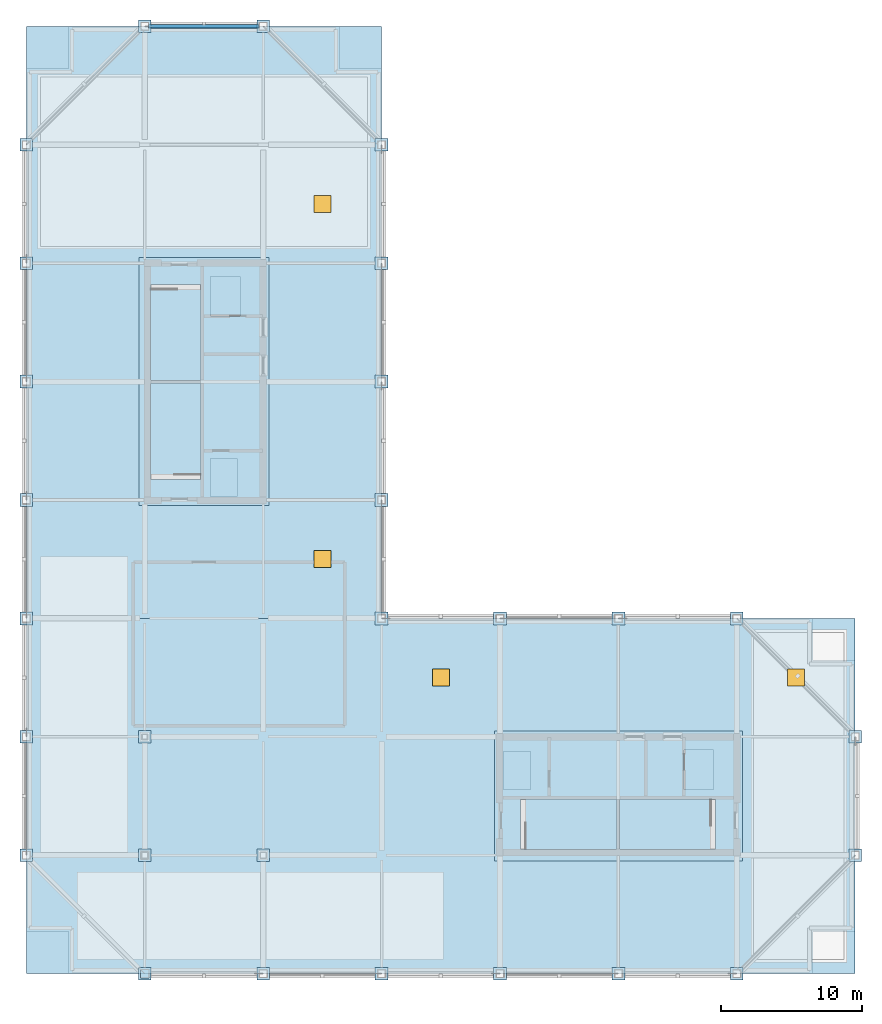
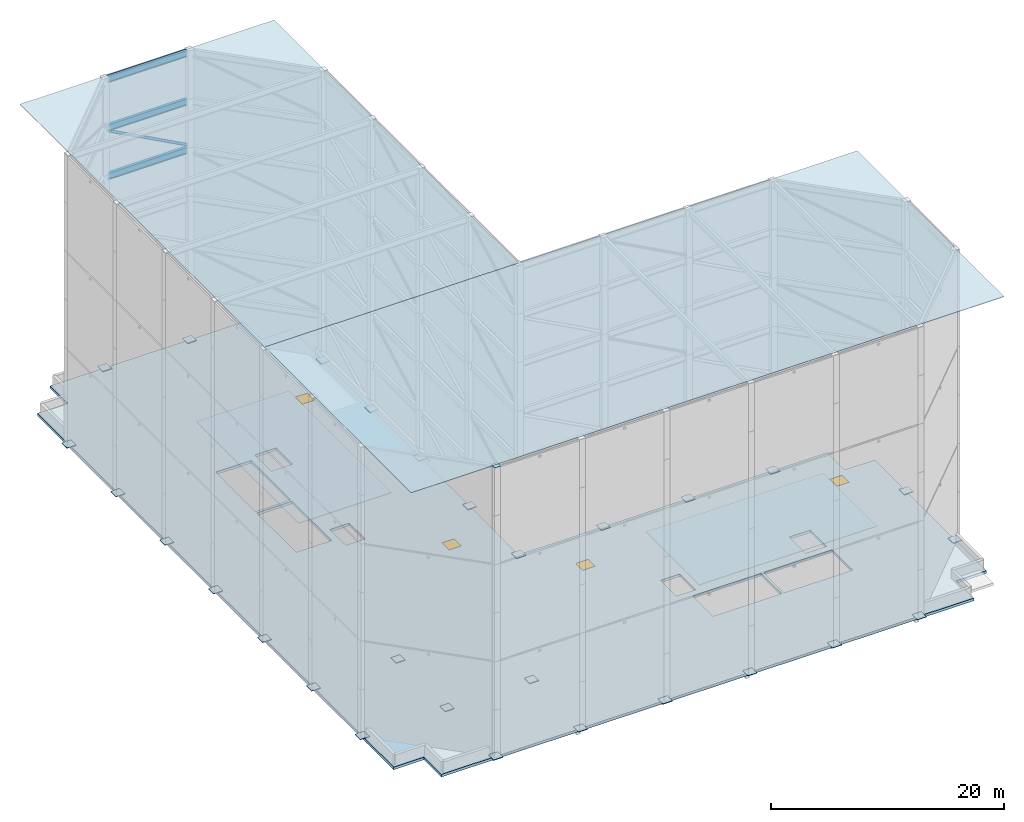
# One storey, part 7 of 17: 33 plates, 4 doors, 3 beams, 1 member, 1 slab, 4 openings.
"""IFC4 building model written with IfcOpenShell, lengths in metres."""

from ifc_helpers import new_model, si_unit, direction, frame, origin, origin_2d, place, context, subcontext, project, spatial, polyline, rectangle, hollow_circle, i_section, outline, extrude, material, layer, layer_set, material_profile, profile_set, type_object, element, fill, save


model = new_model("IFC4")

# Units and contexts
model_context = context("Model", 3, precision=1e-05, world=origin(), true_north=direction((0.0, 1.0)))
body_context = subcontext(model_context, "Body", "Model", "MODEL_VIEW")
ifc_project = project(units=[si_unit("LENGTHUNIT", "METRE"), si_unit("AREAUNIT", "SQUARE_METRE"), si_unit("VOLUMEUNIT", "CUBIC_METRE"), si_unit("PLANEANGLEUNIT", "RADIAN"), si_unit("MASSUNIT", "GRAM", prefix="KILO")], contexts=[model_context])

# Site, building, storey
site_placement = place(None, origin())
site = spatial("IfcSite", under=ifc_project, at=site_placement, CompositionType="ELEMENT")
building_placement = place(site_placement, origin())
building = spatial("IfcBuilding", under=site, at=building_placement, Name="Koriwani Terraces Tower", CompositionType="ELEMENT")
storey_placement = place(building_placement, frame((0.0, 0.0, 374.0)))
storey = spatial("IfcBuildingStorey", under=building, at=storey_placement, Name="RF", CompositionType="ELEMENT", Elevation=374.0)

# Beams
ifc_material_1 = material(Name="Steel ASTM A572 Grade 50", Category="steel")
ifc_material_profile_1 = material_profile(ifc_material_1, i_section(OverallWidth=0.256103515625, OverallDepth=0.693115234375, WebThickness=0.014404296875, FlangeThickness=0.023681640625, at=origin_2d()), Name="Steel ASTM A572 Grade 50", Category="LoadBearing")
ifc_profile_set_1 = profile_set([ifc_material_profile_1], Name="Steel ASTM A572 Grade 50")
beam_type = type_object("IfcBeamType", Name="CROWN_FRAME_BEAM_W690X170", PredefinedType="USERDEFINED", material=ifc_profile_set_1)
for number, where, z_axis, x_axis, name in (
    (1, (24.919921875, 75.60009765625, 20.013427734375), (-1.0, 0.0, 0.0), (0.0, -1.0, 0.0), "CROWN FRAME Tier 4 Ring Beam S17"),
    (2, (24.919921875, 75.60009765625, 25.103515625), (-1.0, 0.0, 0.0), (0.0, -1.0, 0.0), "CROWN FRAME Tier 5 Ring Beam S17"),
    (3, (24.919921875, 75.60009765625, 30.193603515625), (-1.0, 0.0, 0.0), (0.0, -1.0, 0.0), "CROWN FRAME Tier 6 Ring Beam S17"),
):
    element("IfcBeam", number, at=place(storey_placement, frame(where, z_axis=z_axis, x_axis=x_axis)), inside=storey, type_object=beam_type, Name=name, ObjectType="CROWN FRAME", PredefinedType="USERDEFINED", context=body_context, shape_type="SweptSolid", body=[
        extrude(i_section(OverallWidth=0.256103515625, OverallDepth=0.693115234375, WebThickness=0.014404296875, FlangeThickness=0.023681640625, at=origin_2d()), origin(), (0.0, 0.0, 1.0), 7.83984375),
    ])

# Member
ifc_material_profile_2 = material_profile(ifc_material_1, hollow_circle(Radius=0.136474609375, WallThickness=0.010009765625, at=origin_2d()), Name="Steel ASTM A572 Grade 50", Category="LoadBearing")
ifc_profile_set_2 = profile_set([ifc_material_profile_2], Name="Steel ASTM A572 Grade 50")
member_type = type_object("IfcMemberType", Name="CROWN_FRAME_BRACE_CHS273X10", PredefinedType="USERDEFINED", material=ifc_profile_set_2)
member_placement = place(storey_placement, frame((24.919921875, 75.60009765625, 20.56005859375), z_axis=(-0.880677963064, 0.0, 0.473715447683), x_axis=(0.0, -1.0, 0.0)))
element("IfcMember", 4, at=member_placement, inside=storey, type_object=member_type, Name="CROWN FRAME Tier 5 Diagonal Brace S17", ObjectType="CROWN FRAME", PredefinedType="USERDEFINED", context=body_context, shape_type="SweptSolid", body=[
    extrude(hollow_circle(Radius=0.136474609375, WallThickness=0.010009765625, at=origin_2d()), origin(), (0.0, 0.0, 1.0), 8.902099609375),
])

# Plates
ifc_layer_1 = layer(ifc_material_1, 0.050048828125, Name="Steel ASTM A572 Grade 50")
ifc_layer_set_1 = layer_set([ifc_layer_1], Name="Steel ASTM A572 Grade 50")
plate_type_1 = type_object("IfcPlateType", Name="CROWN_CAP_PLATE_50", PredefinedType="SHEET", material=ifc_layer_set_1)
plate_1_placement = place(storey_placement, frame((21.0, 50.39990234375, 4.39990234375), z_axis=(0.0, 0.0, 1.0), x_axis=(1.0, 0.0, 0.0)))
element("IfcPlate", 5, at=plate_1_placement, inside=storey, type_object=plate_type_1, Name="West Core Overrun Enclosure Top Plate", PredefinedType="SHEET", context=body_context, shape_type="SweptSolid", body=[
    extrude(rectangle(XDim=9.199951171875, YDim=17.60009765625, at=origin_2d()), origin(), (0.0, 0.0, 1.0), 0.050048828125),
])
plate_2_placement = place(storey_placement, frame((50.39990234375, 21.0, 4.39990234375), z_axis=(0.0, 0.0, 1.0), x_axis=(1.0, 0.0, 0.0)))
element("IfcPlate", 6, at=plate_2_placement, inside=storey, type_object=plate_type_1, Name="East Core Overrun Enclosure Top Plate", PredefinedType="SHEET", context=body_context, shape_type="SweptSolid", body=[
    extrude(rectangle(XDim=17.60009765625, YDim=9.199951171875, at=origin_2d()), origin(), (0.0, 0.0, 1.0), 0.050048828125),
])
plate_3_placement = place(storey_placement, frame((37.800048828125, 21.0, 30.5400390625), z_axis=(0.0, 0.0, 1.0), x_axis=(1.0, 0.0, 0.0)))
element("IfcPlate", 7, at=plate_3_placement, inside=storey, type_object=plate_type_1, Name="CROWN FRAME Acoustic & Solar Top Cap Plate (South-East Wing)", PredefinedType="SHEET", context=body_context, shape_type="SweptSolid", body=[
    extrude(rectangle(XDim=58.800048828125, YDim=25.199951171875, at=origin_2d()), origin(), (0.0, 0.0, 1.0), 0.050048828125),
])
plate_4_placement = place(storey_placement, frame((21.0, 54.60009765625, 30.5400390625), z_axis=(0.0, 0.0, 1.0), x_axis=(1.0, 0.0, 0.0)))
element("IfcPlate", 8, at=plate_4_placement, inside=storey, type_object=plate_type_1, Name="CROWN FRAME Acoustic & Solar Top Cap Plate (North-West Wing)", PredefinedType="SHEET", context=body_context, shape_type="SweptSolid", body=[
    extrude(rectangle(XDim=25.199951171875, YDim=42.0, at=origin_2d()), origin(), (0.0, 0.0, 1.0), 0.050048828125),
])

# Slab, openings, doors
ifc_material_2 = material(Name="Concrete C50/60", Category="concrete")
ifc_layer_2 = layer(ifc_material_2, 0.280029296875, Name="Concrete C50/60")
ifc_layer_set_2 = layer_set([ifc_layer_2], Name="Concrete C50/60")
slab_type = type_object("IfcSlabType", Name="SLAB_MAIN_ROOF_280", PredefinedType="ROOF", material=ifc_layer_set_2)
slab_placement = place(storey_placement, frame((0.0, 0.0, -0.280029296875)))
slab = element("IfcSlab", 9, at=slab_placement, inside=storey, type_object=slab_type, Name="RF Structural Roof Slab", PredefinedType="ROOF", context=body_context, shape_type="SweptSolid", body=[
    extrude(outline(polyline([(11.39990234375, 8.39990234375), (64.199951171875, 8.39990234375), (64.199951171875, 11.39990234375), (67.199951171875, 11.39990234375), (67.199951171875, 30.60009765625), (64.199951171875, 30.60009765625), (64.199951171875, 33.60009765625), (33.60009765625, 33.60009765625), (33.60009765625, 72.60009765625), (30.60009765625, 72.60009765625), (30.60009765625, 75.60009765625), (11.39990234375, 75.60009765625), (11.39990234375, 72.60009765625), (8.39990234375, 72.60009765625), (8.39990234375, 11.39990234375), (11.39990234375, 11.39990234375), (11.39990234375, 8.39990234375)]), holes=[polyline([(17.25, 43.4599609375), (20.75, 43.4599609375), (20.75, 50.25), (17.25, 50.25), (17.25, 43.4599609375)]), polyline([(17.25, 50.5), (20.75, 50.5), (20.75, 57.2900390625), (17.25, 57.2900390625), (17.25, 50.5)]), polyline([(43.4599609375, 17.25), (50.25, 17.25), (50.25, 20.75), (43.4599609375, 20.75), (43.4599609375, 17.25)]), polyline([(50.5, 17.25), (57.2900390625, 17.25), (57.2900390625, 20.75), (50.5, 20.75), (50.5, 17.25)]), polyline([(21.449951171875, 55.050048828125), (23.550048828125, 55.050048828125), (23.550048828125, 57.85009765625), (21.449951171875, 57.85009765625), (21.449951171875, 55.050048828125)]), polyline([(55.050048828125, 21.449951171875), (57.14990234375, 21.449951171875), (57.14990234375, 24.25), (55.050048828125, 24.25), (55.050048828125, 21.449951171875)]), polyline([(21.449951171875, 42.25), (23.35009765625, 42.25), (23.35009765625, 44.949951171875), (21.449951171875, 44.949951171875), (21.449951171875, 42.25)]), polyline([(42.25, 21.449951171875), (44.14990234375, 21.449951171875), (44.14990234375, 24.14990234375), (42.25, 24.14990234375), (42.25, 21.449951171875)])]), origin(), (0.0, 0.0, 1.0), 0.280029296875),
])
opening_1_placement = place(slab_placement, frame((29.39990234375, 37.800048828125, 0.0)))
opening_1 = element("IfcOpeningElement", 10, at=opening_1_placement, cuts=slab, Name="Opening RH-01", PredefinedType="OPENING", context=body_context, shape_type="SweptSolid", body=[
    extrude(rectangle(XDim=1.199951171875, YDim=1.199951171875, at=origin_2d()), origin(), (0.0, 0.0, 1.0), 0.280029296875),
])
opening_2_placement = place(slab_placement, frame((29.39990234375, 63.0, 0.0)))
opening_2 = element("IfcOpeningElement", 11, at=opening_2_placement, cuts=slab, Name="Opening RH-01", PredefinedType="OPENING", context=body_context, shape_type="SweptSolid", body=[
    extrude(rectangle(XDim=1.199951171875, YDim=1.199951171875, at=origin_2d()), origin(), (0.0, 0.0, 1.0), 0.280029296875),
])
opening_3_placement = place(slab_placement, frame((37.800048828125, 29.39990234375, 0.0)))
opening_3 = element("IfcOpeningElement", 12, at=opening_3_placement, cuts=slab, Name="Opening RH-01", PredefinedType="OPENING", context=body_context, shape_type="SweptSolid", body=[
    extrude(rectangle(XDim=1.199951171875, YDim=1.199951171875, at=origin_2d()), origin(), (0.0, 0.0, 1.0), 0.280029296875),
])
opening_4_placement = place(slab_placement, frame((63.0, 29.39990234375, 0.0)))
opening_4 = element("IfcOpeningElement", 13, at=opening_4_placement, cuts=slab, Name="Opening RH-01", PredefinedType="OPENING", context=body_context, shape_type="SweptSolid", body=[
    extrude(rectangle(XDim=1.199951171875, YDim=1.199951171875, at=origin_2d()), origin(), (0.0, 0.0, 1.0), 0.280029296875),
])
door_type = type_object("IfcDoorType", Name="ROOF_ACCESS_HATCH_1200X1200", OperationType="NOTDEFINED", PredefinedType="TRAPDOOR", material=ifc_material_1)
door_1_placement = place(opening_1_placement, frame((0.0, 0.0, 0.22998046875)))
door_1 = element("IfcDoor", 14, at=door_1_placement, inside=storey, type_object=door_type, Name="West Wing Roof Deck Access Hatch 1", OperationType="SINGLE_SWING_LEFT", OverallHeight=1.199951171875, OverallWidth=1.199951171875, PredefinedType="TRAPDOOR", context=body_context, shape_type="SweptSolid", body=[
    extrude(rectangle(XDim=1.199951171875, YDim=1.199951171875, at=origin_2d()), origin(), (0.0, 0.0, 1.0), 0.050048828125),
])
fill(opening_1, door_1)
door_2_placement = place(opening_2_placement, frame((0.0, 0.0, 0.22998046875)))
door_2 = element("IfcDoor", 15, at=door_2_placement, inside=storey, type_object=door_type, Name="North Wing Roof Deck Access Hatch 2", OperationType="SINGLE_SWING_LEFT", OverallHeight=1.199951171875, OverallWidth=1.199951171875, PredefinedType="TRAPDOOR", context=body_context, shape_type="SweptSolid", body=[
    extrude(rectangle(XDim=1.199951171875, YDim=1.199951171875, at=origin_2d()), origin(), (0.0, 0.0, 1.0), 0.050048828125),
])
fill(opening_2, door_2)
door_3_placement = place(opening_3_placement, frame((0.0, 0.0, 0.22998046875)))
door_3 = element("IfcDoor", 16, at=door_3_placement, inside=storey, type_object=door_type, Name="Central Roof Deck Inspection Hatch 3", OperationType="SINGLE_SWING_LEFT", OverallHeight=1.199951171875, OverallWidth=1.199951171875, PredefinedType="TRAPDOOR", context=body_context, shape_type="SweptSolid", body=[
    extrude(rectangle(XDim=1.199951171875, YDim=1.199951171875, at=origin_2d()), origin(), (0.0, 0.0, 1.0), 0.050048828125),
])
fill(opening_3, door_3)
door_4_placement = place(opening_4_placement, frame((0.0, 0.0, 0.22998046875)))
door_4 = element("IfcDoor", 17, at=door_4_placement, inside=storey, type_object=door_type, Name="East Wing Roof Deck Access Hatch 4", OperationType="SINGLE_SWING_LEFT", OverallHeight=1.199951171875, OverallWidth=1.199951171875, PredefinedType="TRAPDOOR", context=body_context, shape_type="SweptSolid", body=[
    extrude(rectangle(XDim=1.199951171875, YDim=1.199951171875, at=origin_2d()), origin(), (0.0, 0.0, 1.0), 0.050048828125),
])
fill(opening_4, door_4)

# Plates
ifc_layer_3 = layer(ifc_material_1, 0.06005859375, Name="Steel ASTM A572 Grade 50")
ifc_layer_set_3 = layer_set([ifc_layer_3], Name="Steel ASTM A572 Grade 50")
plate_type_2 = type_object("IfcPlateType", Name="STEEL_BASE_PLATE_60", PredefinedType="USERDEFINED", material=ifc_layer_set_3)
for number, where, z_axis, x_axis, name in (
    (18, (16.800048828125, 8.39990234375, 0.0), (0.0, 0.0, 1.0), (1.0, 0.0, 0.0), "Crown Frame Column Base Plate BP-01"),
    (19, (25.199951171875, 8.39990234375, 0.0), (0.0, 0.0, 1.0), (1.0, 0.0, 0.0), "Crown Frame Column Base Plate BP-02"),
    (20, (33.60009765625, 8.39990234375, 0.0), (0.0, 0.0, 1.0), (1.0, 0.0, 0.0), "Crown Frame Column Base Plate BP-03"),
    (21, (42.0, 8.39990234375, 0.0), (0.0, 0.0, 1.0), (1.0, 0.0, 0.0), "Crown Frame Column Base Plate BP-04"),
    (22, (50.39990234375, 8.39990234375, 0.0), (0.0, 0.0, 1.0), (1.0, 0.0, 0.0), "Crown Frame Column Base Plate BP-05"),
    (23, (58.800048828125, 8.39990234375, 0.0), (0.0, 0.0, 1.0), (1.0, 0.0, 0.0), "Crown Frame Column Base Plate BP-06"),
    (24, (67.199951171875, 16.800048828125, 0.0), (0.0, 0.0, 1.0), (1.0, 0.0, 0.0), "Crown Frame Column Base Plate BP-07"),
    (25, (67.199951171875, 25.199951171875, 0.0), (0.0, 0.0, 1.0), (1.0, 0.0, 0.0), "Crown Frame Column Base Plate BP-08"),
    (26, (58.800048828125, 33.60009765625, 0.0), (0.0, 0.0, 1.0), (1.0, 0.0, 0.0), "Crown Frame Column Base Plate BP-09"),
    (27, (50.39990234375, 33.60009765625, 0.0), (0.0, 0.0, 1.0), (1.0, 0.0, 0.0), "Crown Frame Column Base Plate BP-10"),
    (28, (42.0, 33.60009765625, 0.0), (0.0, 0.0, 1.0), (1.0, 0.0, 0.0), "Crown Frame Column Base Plate BP-11"),
    (29, (33.60009765625, 33.60009765625, 0.0), (0.0, 0.0, 1.0), (1.0, 0.0, 0.0), "Crown Frame Column Base Plate BP-12"),
    (30, (33.60009765625, 42.0, 0.0), (0.0, 0.0, 1.0), (1.0, 0.0, 0.0), "Crown Frame Column Base Plate BP-13"),
    (31, (33.60009765625, 50.39990234375, 0.0), (0.0, 0.0, 1.0), (1.0, 0.0, 0.0), "Crown Frame Column Base Plate BP-14"),
    (32, (33.60009765625, 58.800048828125, 0.0), (0.0, 0.0, 1.0), (1.0, 0.0, 0.0), "Crown Frame Column Base Plate BP-15"),
    (33, (33.60009765625, 67.199951171875, 0.0), (0.0, 0.0, 1.0), (1.0, 0.0, 0.0), "Crown Frame Column Base Plate BP-16"),
    (34, (25.199951171875, 75.60009765625, 0.0), (0.0, 0.0, 1.0), (1.0, 0.0, 0.0), "Crown Frame Column Base Plate BP-17"),
    (35, (16.800048828125, 75.60009765625, 0.0), (0.0, 0.0, 1.0), (1.0, 0.0, 0.0), "Crown Frame Column Base Plate BP-18"),
    (36, (8.39990234375, 67.199951171875, 0.0), (0.0, 0.0, 1.0), (1.0, 0.0, 0.0), "Crown Frame Column Base Plate BP-19"),
    (37, (8.39990234375, 58.800048828125, 0.0), (0.0, 0.0, 1.0), (1.0, 0.0, 0.0), "Crown Frame Column Base Plate BP-20"),
    (38, (8.39990234375, 50.39990234375, 0.0), (0.0, 0.0, 1.0), (1.0, 0.0, 0.0), "Crown Frame Column Base Plate BP-21"),
    (39, (8.39990234375, 42.0, 0.0), (0.0, 0.0, 1.0), (1.0, 0.0, 0.0), "Crown Frame Column Base Plate BP-22"),
    (40, (8.39990234375, 33.60009765625, 0.0), (0.0, 0.0, 1.0), (1.0, 0.0, 0.0), "Crown Frame Column Base Plate BP-23"),
    (41, (8.39990234375, 25.199951171875, 0.0), (0.0, 0.0, 1.0), (1.0, 0.0, 0.0), "Crown Frame Column Base Plate BP-24"),
    (42, (8.39990234375, 16.800048828125, 0.0), (0.0, 0.0, 1.0), (1.0, 0.0, 0.0), "Crown Frame Column Base Plate BP-25"),
    (43, (16.800048828125, 16.800048828125, 0.0), (0.0, 0.0, 1.0), (1.0, 0.0, 0.0), "Crown Equipment Column Base Plate EQ-01"),
    (44, (25.199951171875, 16.800048828125, 0.0), (0.0, 0.0, 1.0), (1.0, 0.0, 0.0), "Crown Equipment Column Base Plate EQ-02"),
    (45, (16.800048828125, 25.199951171875, 0.0), (0.0, 0.0, 1.0), (1.0, 0.0, 0.0), "Crown Equipment Column Base Plate EQ-03"),
):
    element("IfcPlate", number, at=place(storey_placement, frame(where, z_axis=z_axis, x_axis=x_axis)), inside=storey, type_object=plate_type_2, Name=name, ObjectType="BASE_PLATE", PredefinedType="USERDEFINED", context=body_context, shape_type="SweptSolid", body=[
        extrude(rectangle(XDim=0.89990234375, YDim=0.89990234375, at=origin_2d()), origin(), (0.0, 0.0, 1.0), 0.06005859375),
    ])
ifc_layer_4 = layer(ifc_material_1, 0.02490234375, Name="Steel ASTM A572 Grade 50")
ifc_layer_set_4 = layer_set([ifc_layer_4], Name="Steel ASTM A572 Grade 50")
plate_type_3 = type_object("IfcPlateType", Name="STEEL_CAP_PLATE_25", PredefinedType="USERDEFINED", material=ifc_layer_set_4)
plate_5_placement = place(storey_placement, frame((16.800048828125, 8.39990234375, 30.51513671875), z_axis=(0.0, 0.0, 1.0), x_axis=(1.0, 0.0, 0.0)))
element("IfcPlate", 46, at=plate_5_placement, inside=storey, type_object=plate_type_3, Name="Crown Frame Column Cap Plate EP-01", ObjectType="FLANGE_PLATE", PredefinedType="USERDEFINED", context=body_context, shape_type="SweptSolid", body=[
    extrude(rectangle(XDim=0.6201171875, YDim=0.6201171875, at=origin_2d()), origin(), (0.0, 0.0, 1.0), 0.02490234375),
])

save(model, "model.ifc")
